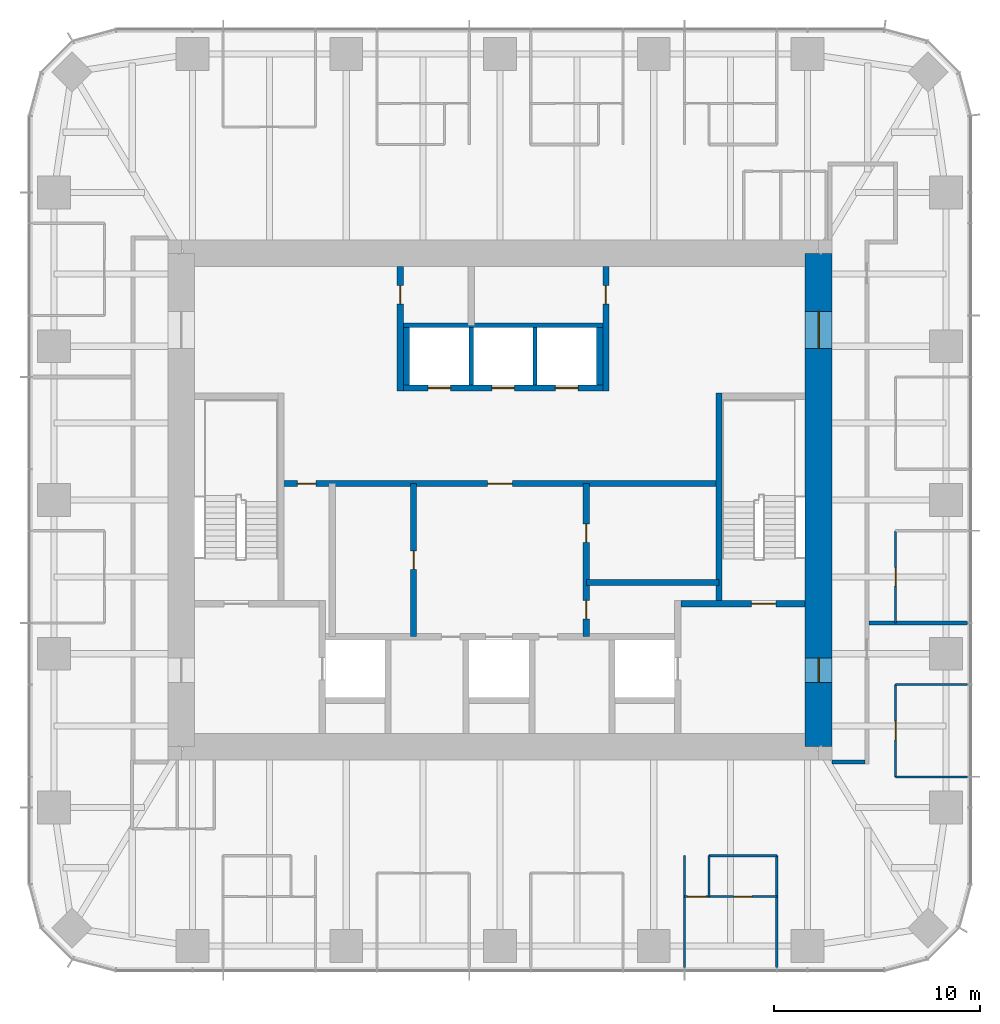
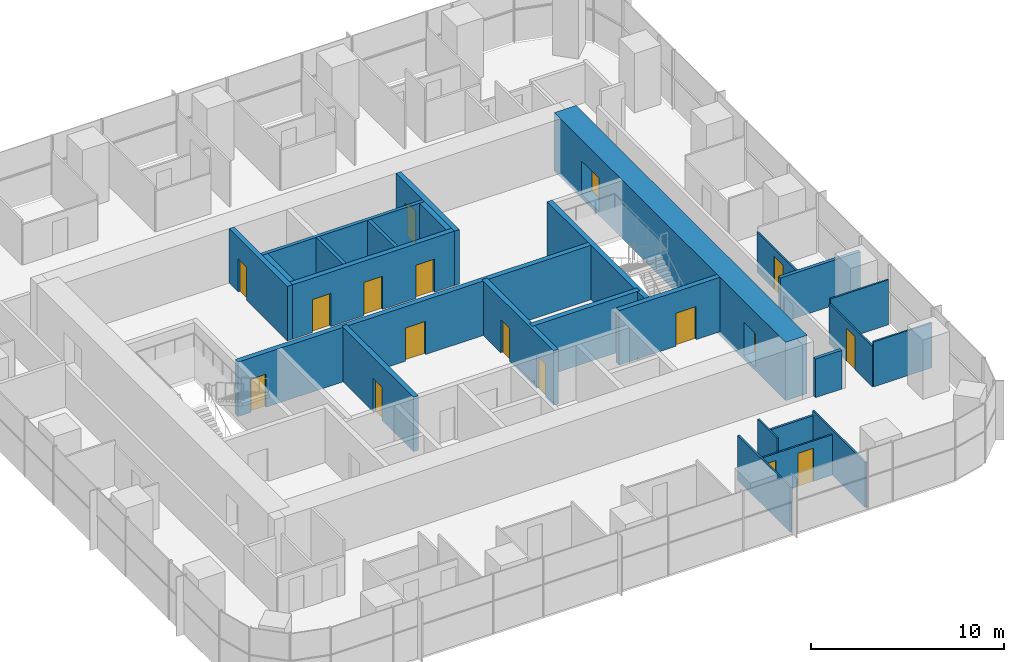
# One storey, part 10 of 13: 26 walls, 17 doors, 17 openings.
"""IFC4 building model written with IfcOpenShell, lengths in metres."""

from ifc_helpers import new_model, si_unit, direction, frame, frame_2d, origin, place, context, subcontext, project, spatial, rectangle, extrude, material, layer, layer_set, type_object, element, fill, save


model = new_model("IFC4")

# Units and contexts
model_context = context("Model", 3, precision=1e-05, world=origin(), true_north=direction((0.0, 1.0)))
body_context = subcontext(model_context, "Body", "Model", "MODEL_VIEW")
ifc_project = project(units=[si_unit("LENGTHUNIT", "METRE"), si_unit("AREAUNIT", "SQUARE_METRE"), si_unit("VOLUMEUNIT", "CUBIC_METRE"), si_unit("PLANEANGLEUNIT", "RADIAN"), si_unit("MASSUNIT", "GRAM", prefix="KILO")], contexts=[model_context])

# Site, building, storey
site_placement = place(None, origin())
site = spatial("IfcSite", under=ifc_project, at=site_placement, CompositionType="ELEMENT")
building_placement = place(site_placement, origin())
building = spatial("IfcBuilding", under=site, at=building_placement, Name="Khuree Lantern Residences", CompositionType="ELEMENT")
storey_placement = place(building_placement, frame((0.0, 0.0, 349.5)))
storey = spatial("IfcBuildingStorey", under=building, at=storey_placement, Name="L88", CompositionType="ELEMENT", Elevation=349.5)

# Wall
ifc_material_1 = material(Name="Moisture-resistant gypsum board on steel studs", Category="steel")
ifc_layer_1 = layer(ifc_material_1, 0.125)
ifc_layer_set_1 = layer_set([ifc_layer_1], Name="BATHROOM WALL BTW125")
wall_type_1 = type_object("IfcWallType", Name="BATHROOM WALL BTW125", PredefinedType="PARTITIONING", material=ifc_layer_set_1)
wall_1_placement = place(storey_placement, frame((10.176025390625, -17.29638671875, 0.0), z_axis=(0.0, 0.0, 1.0), x_axis=(1.0, 0.0, 0.0)))
element("IfcWall", 1, at=wall_1_placement, inside=storey, type_object=wall_type_1, Name="L88 BATHROOM WALL 02", PredefinedType="PARTITIONING", context=body_context, shape_type="SweptSolid", body=[
    extrude(rectangle(XDim=3.2880859375, YDim=0.125, at=frame_2d((1.64404296875, 0.0))), origin(), (0.0, 0.0, 1.0), 2.56005859375),
])

# Wall, openings, doors
ifc_material_2 = material(Name="Dense concrete blockwork", Category="masonry")
ifc_layer_2 = layer(ifc_material_2, 0.300048828125)
ifc_layer_set_2 = layer_set([ifc_layer_2], Name="CORE PARTITION WALL CPW300 EI 120")
wall_type_2 = type_object("IfcWallType", Name="CORE PARTITION WALL CPW300 EI 120", PredefinedType="PARTITIONING", material=ifc_layer_set_2)
wall_2_placement = place(storey_placement, frame((-4.699951171875, 5.449951171875, 0.0), z_axis=(0.0, 0.0, 1.0), x_axis=(1.0, 0.0, 0.0)))
wall_2 = element("IfcWall", 2, at=wall_2_placement, inside=storey, type_object=wall_type_2, Name="L88 CORE WALL PHS", PredefinedType="PARTITIONING", context=body_context, shape_type="SweptSolid", body=[
    extrude(rectangle(XDim=9.699951171875, YDim=0.300048828125, at=frame_2d((4.85009765625, 0.0))), origin(), (0.0, 0.0, 1.0), 3.449951171875),
])
opening_1_placement = place(wall_2_placement, frame((1.199951171875, 0.0, 0.0)))
opening_1 = element("IfcOpeningElement", 3, at=opening_1_placement, cuts=wall_2, Name="Opening 88-009", PredefinedType="OPENING", context=body_context, shape_type="SweptSolid", body=[
    extrude(rectangle(XDim=1.10009765625, YDim=2.10009765625, at=frame_2d((0.550048828125, 1.050048828125))), frame((0.0, 0.16015625, 0.0), z_axis=(0.0, -1.0, 0.0), x_axis=(1.0, 0.0, 0.0)), (0.0, 0.0, 1.0), 0.320068359375),
])
opening_2_placement = place(wall_2_placement, frame((4.300048828125, 0.0, 0.0)))
opening_2 = element("IfcOpeningElement", 4, at=opening_2_placement, cuts=wall_2, Name="Opening 88-010", PredefinedType="OPENING", context=body_context, shape_type="SweptSolid", body=[
    extrude(rectangle(XDim=1.10009765625, YDim=2.10009765625, at=frame_2d((0.550048828125, 1.050048828125))), frame((0.0, 0.16015625, 0.0), z_axis=(0.0, -1.0, 0.0), x_axis=(1.0, 0.0, 0.0)), (0.0, 0.0, 1.0), 0.320068359375),
])
opening_3_placement = place(wall_2_placement, frame((7.39990234375, 0.0, 0.0)))
opening_3 = element("IfcOpeningElement", 5, at=opening_3_placement, cuts=wall_2, Name="Opening 88-011", PredefinedType="OPENING", context=body_context, shape_type="SweptSolid", body=[
    extrude(rectangle(XDim=1.10009765625, YDim=2.10009765625, at=frame_2d((0.550048828125, 1.050048828125))), frame((0.0, 0.16015625, 0.0), z_axis=(0.0, -1.0, 0.0), x_axis=(1.0, 0.0, 0.0)), (0.0, 0.0, 1.0), 0.320068359375),
])
ifc_material_3 = material(Name="Stainless steel lift landing door", Category="steel")
door_type_1 = type_object("IfcDoorType", Name="LIFT LANDING DOOR 1100X2100 E 60", OperationType="DOUBLE_DOOR_SLIDING", PredefinedType="DOOR", material=ifc_material_3)
door_1_placement = place(opening_1_placement, origin())
door_1 = element("IfcDoor", 6, at=door_1_placement, inside=storey, type_object=door_type_1, Name="Landing door PH1 88-009", OperationType="DOUBLE_DOOR_SLIDING", OverallHeight=2.10009765625, OverallWidth=1.10009765625, PredefinedType="DOOR", context=body_context, shape_type="SweptSolid", body=[
    extrude(rectangle(XDim=1.10009765625, YDim=2.10009765625, at=frame_2d((0.550048828125, 1.050048828125))), frame((0.0, 0.02490234375, 0.0), z_axis=(0.0, -1.0, 0.0), x_axis=(1.0, 0.0, 0.0)), (0.0, 0.0, 1.0), 0.050048828125),
])
fill(opening_1, door_1)
door_2_placement = place(opening_2_placement, origin())
door_2 = element("IfcDoor", 7, at=door_2_placement, inside=storey, type_object=door_type_1, Name="Landing door PH2 88-010", OperationType="DOUBLE_DOOR_SLIDING", OverallHeight=2.10009765625, OverallWidth=1.10009765625, PredefinedType="DOOR", context=body_context, shape_type="SweptSolid", body=[
    extrude(rectangle(XDim=1.10009765625, YDim=2.10009765625, at=frame_2d((0.550048828125, 1.050048828125))), frame((0.0, 0.02490234375, 0.0), z_axis=(0.0, -1.0, 0.0), x_axis=(1.0, 0.0, 0.0)), (0.0, 0.0, 1.0), 0.050048828125),
])
fill(opening_2, door_2)
door_3_placement = place(opening_3_placement, origin())
door_3 = element("IfcDoor", 8, at=door_3_placement, inside=storey, type_object=door_type_1, Name="Landing door PH3 88-011", OperationType="DOUBLE_DOOR_SLIDING", OverallHeight=2.10009765625, OverallWidth=1.10009765625, PredefinedType="DOOR", context=body_context, shape_type="SweptSolid", body=[
    extrude(rectangle(XDim=1.10009765625, YDim=2.10009765625, at=frame_2d((0.550048828125, 1.050048828125))), frame((0.0, 0.02490234375, 0.0), z_axis=(0.0, -1.0, 0.0), x_axis=(1.0, 0.0, 0.0)), (0.0, 0.0, 1.0), 0.050048828125),
])
fill(opening_3, door_3)

# Walls
for number, where, z_axis, x_axis, name in (
    (9, (-4.550048828125, 5.60009765625, 0.0), (0.0, 0.0, 1.0), (0.0, 1.0, 0.0), "L88 CORE WALL PHW"),
    (10, (4.85009765625, 5.60009765625, 0.0), (0.0, 0.0, 1.0), (0.0, 1.0, 0.0), "L88 CORE WALL PHE"),
):
    element("IfcWall", number, at=place(storey_placement, frame(where, z_axis=z_axis, x_axis=x_axis)), inside=storey, type_object=wall_type_2, Name=name, PredefinedType="PARTITIONING", context=body_context, shape_type="SweptSolid", body=[
        extrude(rectangle(XDim=2.7998046875, YDim=0.300048828125, at=frame_2d((1.39990234375, 0.0))), origin(), (0.0, 0.0, 1.0), 3.449951171875),
    ])

# Wall, openings, doors
wall_3_placement = place(storey_placement, frame((-10.64990234375, 0.800048828125, 0.0), z_axis=(0.0, 0.0, 1.0), x_axis=(1.0, 0.0, 0.0)))
wall_3 = element("IfcWall", 11, at=wall_3_placement, inside=storey, type_object=wall_type_2, Name="L88 CORE WALL LLS", PredefinedType="PARTITIONING", context=body_context, shape_type="SweptSolid", body=[
    extrude(rectangle(XDim=21.2998046875, YDim=0.300048828125, at=frame_2d((10.64990234375, 0.0))), origin(), (0.0, 0.0, 1.0), 3.449951171875),
])
opening_4_placement = place(wall_3_placement, frame((10.050048828125, 0.0, 0.0)))
opening_4 = element("IfcOpeningElement", 12, at=opening_4_placement, cuts=wall_3, Name="Opening 88-013", PredefinedType="OPENING", context=body_context, shape_type="SweptSolid", body=[
    extrude(rectangle(XDim=1.199951171875, YDim=2.10009765625, at=frame_2d((0.60009765625, 1.050048828125))), frame((0.0, 0.16015625, 0.0), z_axis=(0.0, -1.0, 0.0), x_axis=(1.0, 0.0, 0.0)), (0.0, 0.0, 1.0), 0.320068359375),
])
opening_5_placement = place(wall_3_placement, frame((0.79296875, 0.0, 0.0)))
opening_5 = element("IfcOpeningElement", 13, at=opening_5_placement, cuts=wall_3, Name="Opening 88-017", PredefinedType="OPENING", context=body_context, shape_type="SweptSolid", body=[
    extrude(rectangle(XDim=0.89990234375, YDim=2.10009765625, at=frame_2d((0.449951171875, 1.050048828125))), frame((0.0, 0.16015625, 0.0), z_axis=(0.0, -1.0, 0.0), x_axis=(1.0, 0.0, 0.0)), (0.0, 0.0, 1.0), 0.320068359375),
])
ifc_material_4 = material(Name="Steel door leaf in steel frame", Category="steel")
door_type_2 = type_object("IfcDoorType", Name="DOOR 1200X2100 EI 60", OperationType="SINGLE_SWING_LEFT", PredefinedType="DOOR", material=ifc_material_4)
door_4_placement = place(opening_4_placement, origin())
door_4 = element("IfcDoor", 14, at=door_4_placement, inside=storey, type_object=door_type_2, Name="Service lift lobby door 88-013", OperationType="SINGLE_SWING_LEFT", OverallHeight=2.10009765625, OverallWidth=1.199951171875, PredefinedType="DOOR", context=body_context, shape_type="SweptSolid", body=[
    extrude(rectangle(XDim=1.199951171875, YDim=2.10009765625, at=frame_2d((0.60009765625, 1.050048828125))), frame((0.0, 0.02490234375, 0.0), z_axis=(0.0, -1.0, 0.0), x_axis=(1.0, 0.0, 0.0)), (0.0, 0.0, 1.0), 0.050048828125),
])
fill(opening_4, door_4)
ifc_material_5 = material(Name="Timber door leaf in hardwood frame", Category="wood")
door_type_3 = type_object("IfcDoorType", Name="DOOR 900X2100", OperationType="SINGLE_SWING_LEFT", PredefinedType="DOOR", material=ifc_material_5)
door_5_placement = place(opening_5_placement, origin())
door_5 = element("IfcDoor", 15, at=door_5_placement, inside=storey, type_object=door_type_3, Name="Refuse holding room door 88-017", OperationType="SINGLE_SWING_LEFT", OverallHeight=2.10009765625, OverallWidth=0.89990234375, PredefinedType="DOOR", context=body_context, shape_type="SweptSolid", body=[
    extrude(rectangle(XDim=0.89990234375, YDim=2.10009765625, at=frame_2d((0.449951171875, 1.050048828125))), frame((0.0, 0.02490234375, 0.0), z_axis=(0.0, -1.0, 0.0), x_axis=(1.0, 0.0, 0.0)), (0.0, 0.0, 1.0), 0.050048828125),
])
fill(opening_5, door_5)

# Wall, opening, door
wall_4_placement = place(storey_placement, frame((-4.199951171875, -6.64990234375, 0.0), z_axis=(0.0, 0.0, 1.0), x_axis=(0.0, 1.0, 0.0)))
wall_4 = element("IfcWall", 16, at=wall_4_placement, inside=storey, type_object=wall_type_2, Name="L88 CORE WALL SVW", PredefinedType="PARTITIONING", context=body_context, shape_type="SweptSolid", body=[
    extrude(rectangle(XDim=7.449951171875, YDim=0.300048828125, at=frame_2d((3.72509765625, 0.0))), origin(), (0.0, 0.0, 1.0), 3.449951171875),
])
opening_6_placement = place(wall_4_placement, frame((3.27490234375, 0.0, 0.0)))
opening_6 = element("IfcOpeningElement", 17, at=opening_6_placement, cuts=wall_4, Name="Opening 88-016", PredefinedType="OPENING", context=body_context, shape_type="SweptSolid", body=[
    extrude(rectangle(XDim=0.89990234375, YDim=2.10009765625, at=frame_2d((0.449951171875, 1.050048828125))), frame((0.0, 0.16015625, 0.0), z_axis=(0.0, -1.0, 0.0), x_axis=(1.0, 0.0, 0.0)), (0.0, 0.0, 1.0), 0.320068359375),
])
door_6_placement = place(opening_6_placement, origin())
door_6 = element("IfcDoor", 18, at=door_6_placement, inside=storey, type_object=door_type_3, Name="Residents' store door 88-016", OperationType="SINGLE_SWING_LEFT", OverallHeight=2.10009765625, OverallWidth=0.89990234375, PredefinedType="DOOR", context=body_context, shape_type="SweptSolid", body=[
    extrude(rectangle(XDim=0.89990234375, YDim=2.10009765625, at=frame_2d((0.449951171875, 1.050048828125))), frame((0.0, 0.02490234375, 0.0), z_axis=(0.0, -1.0, 0.0), x_axis=(1.0, 0.0, 0.0)), (0.0, 0.0, 1.0), 0.050048828125),
])
fill(opening_6, door_6)

# Wall, openings, doors
wall_5_placement = place(storey_placement, frame((4.199951171875, -6.64990234375, 0.0), z_axis=(0.0, 0.0, 1.0), x_axis=(0.0, 1.0, 0.0)))
wall_5 = element("IfcWall", 19, at=wall_5_placement, inside=storey, type_object=wall_type_2, Name="L88 CORE WALL SVE", PredefinedType="PARTITIONING", context=body_context, shape_type="SweptSolid", body=[
    extrude(rectangle(XDim=7.449951171875, YDim=0.300048828125, at=frame_2d((3.72509765625, 0.0))), origin(), (0.0, 0.0, 1.0), 3.449951171875),
])
opening_7_placement = place(wall_5_placement, frame((0.865966796875, 0.0, 0.0)))
opening_7 = element("IfcOpeningElement", 20, at=opening_7_placement, cuts=wall_5, Name="Opening 88-018", PredefinedType="OPENING", context=body_context, shape_type="SweptSolid", body=[
    extrude(rectangle(XDim=0.89990234375, YDim=2.10009765625, at=frame_2d((0.449951171875, 1.050048828125))), frame((0.0, 0.16015625, 0.0), z_axis=(0.0, -1.0, 0.0), x_axis=(1.0, 0.0, 0.0)), (0.0, 0.0, 1.0), 0.320068359375),
])
opening_8_placement = place(wall_5_placement, frame((4.591064453125, 0.0, 0.0)))
opening_8 = element("IfcOpeningElement", 21, at=opening_8_placement, cuts=wall_5, Name="Opening 88-019", PredefinedType="OPENING", context=body_context, shape_type="SweptSolid", body=[
    extrude(rectangle(XDim=0.89990234375, YDim=2.10009765625, at=frame_2d((0.449951171875, 1.050048828125))), frame((0.0, 0.16015625, 0.0), z_axis=(0.0, -1.0, 0.0), x_axis=(1.0, 0.0, 0.0)), (0.0, 0.0, 1.0), 0.320068359375),
])
door_7_placement = place(opening_7_placement, origin())
door_7 = element("IfcDoor", 22, at=door_7_placement, inside=storey, type_object=door_type_3, Name="Building management room door 88-018", OperationType="SINGLE_SWING_LEFT", OverallHeight=2.10009765625, OverallWidth=0.89990234375, PredefinedType="DOOR", context=body_context, shape_type="SweptSolid", body=[
    extrude(rectangle(XDim=0.89990234375, YDim=2.10009765625, at=frame_2d((0.449951171875, 1.050048828125))), frame((0.0, 0.02490234375, 0.0), z_axis=(0.0, -1.0, 0.0), x_axis=(1.0, 0.0, 0.0)), (0.0, 0.0, 1.0), 0.050048828125),
])
fill(opening_7, door_7)
door_type_4 = type_object("IfcDoorType", Name="DOOR 900X2100 RIGHT HAND", OperationType="SINGLE_SWING_RIGHT", PredefinedType="DOOR", material=ifc_material_5)
door_8_placement = place(opening_8_placement, origin())
door_8 = element("IfcDoor", 23, at=door_8_placement, inside=storey, type_object=door_type_4, Name="Residents' store door 88-019", OperationType="SINGLE_SWING_RIGHT", OverallHeight=2.10009765625, OverallWidth=0.89990234375, PredefinedType="DOOR", context=body_context, shape_type="SweptSolid", body=[
    extrude(rectangle(XDim=0.89990234375, YDim=2.10009765625, at=frame_2d((0.449951171875, 1.050048828125))), frame((0.0, 0.02490234375, 0.0), z_axis=(0.0, -1.0, 0.0), x_axis=(1.0, 0.0, 0.0)), (0.0, 0.0, 1.0), 0.050048828125),
])
fill(opening_8, door_8)

# Wall
wall_6_placement = place(storey_placement, frame((10.64990234375, -4.01806640625, 0.0), z_axis=(0.0, 0.0, 1.0), x_axis=(-1.0, 0.0, 0.0)))
element("IfcWall", 24, at=wall_6_placement, inside=storey, type_object=wall_type_2, Name="L88 CORE WALL EX", PredefinedType="PARTITIONING", context=body_context, shape_type="SweptSolid", body=[
    extrude(rectangle(XDim=6.449951171875, YDim=0.300048828125, at=frame_2d((3.22509765625, 0.0))), origin(), (0.0, 0.0, 1.0), 3.449951171875),
])

# Wall, opening, door
wall_7_placement = place(storey_placement, frame((-4.85009765625, 5.300048828125, 0.0), z_axis=(0.0, 0.0, 1.0), x_axis=(0.0, 1.0, 0.0)))
wall_7 = element("IfcWall", 25, at=wall_7_placement, inside=storey, type_object=wall_type_2, Name="L88 CORE WALL NW", PredefinedType="PARTITIONING", context=body_context, shape_type="SweptSolid", body=[
    extrude(rectangle(XDim=6.050048828125, YDim=0.300048828125, at=frame_2d((3.02490234375, 0.0))), origin(), (0.0, 0.0, 1.0), 3.449951171875),
])
opening_9_placement = place(wall_7_placement, frame((4.22509765625, 0.0, 0.0)))
opening_9 = element("IfcOpeningElement", 26, at=opening_9_placement, cuts=wall_7, Name="Opening 88-020", PredefinedType="OPENING", context=body_context, shape_type="SweptSolid", body=[
    extrude(rectangle(XDim=0.89990234375, YDim=2.10009765625, at=frame_2d((0.449951171875, 1.050048828125))), frame((0.0, 0.16015625, 0.0), z_axis=(0.0, -1.0, 0.0), x_axis=(1.0, 0.0, 0.0)), (0.0, 0.0, 1.0), 0.320068359375),
])
door_9_placement = place(opening_9_placement, origin())
door_9 = element("IfcDoor", 27, at=door_9_placement, inside=storey, type_object=door_type_4, Name="Building management room door 88-020", OperationType="SINGLE_SWING_RIGHT", OverallHeight=2.10009765625, OverallWidth=0.89990234375, PredefinedType="DOOR", context=body_context, shape_type="SweptSolid", body=[
    extrude(rectangle(XDim=0.89990234375, YDim=2.10009765625, at=frame_2d((0.449951171875, 1.050048828125))), frame((0.0, 0.02490234375, 0.0), z_axis=(0.0, -1.0, 0.0), x_axis=(1.0, 0.0, 0.0)), (0.0, 0.0, 1.0), 0.050048828125),
])
fill(opening_9, door_9)

wall_8_placement = place(storey_placement, frame((5.14990234375, 5.300048828125, 0.0), z_axis=(0.0, 0.0, 1.0), x_axis=(0.0, 1.0, 0.0)))
wall_8 = element("IfcWall", 28, at=wall_8_placement, inside=storey, type_object=wall_type_2, Name="L88 CORE WALL NE", PredefinedType="PARTITIONING", context=body_context, shape_type="SweptSolid", body=[
    extrude(rectangle(XDim=6.050048828125, YDim=0.300048828125, at=frame_2d((3.02490234375, 0.0))), origin(), (0.0, 0.0, 1.0), 3.449951171875),
])
opening_10_placement = place(wall_8_placement, frame((4.22509765625, 0.0, 0.0)))
opening_10 = element("IfcOpeningElement", 29, at=opening_10_placement, cuts=wall_8, Name="Opening 88-021", PredefinedType="OPENING", context=body_context, shape_type="SweptSolid", body=[
    extrude(rectangle(XDim=0.89990234375, YDim=2.10009765625, at=frame_2d((0.449951171875, 1.050048828125))), frame((0.0, 0.16015625, 0.0), z_axis=(0.0, -1.0, 0.0), x_axis=(1.0, 0.0, 0.0)), (0.0, 0.0, 1.0), 0.320068359375),
])
door_10_placement = place(opening_10_placement, origin())
door_10 = element("IfcDoor", 30, at=door_10_placement, inside=storey, type_object=door_type_3, Name="Bulky waste store door 88-021", OperationType="SINGLE_SWING_LEFT", OverallHeight=2.10009765625, OverallWidth=0.89990234375, PredefinedType="DOOR", context=body_context, shape_type="SweptSolid", body=[
    extrude(rectangle(XDim=0.89990234375, YDim=2.10009765625, at=frame_2d((0.449951171875, 1.050048828125))), frame((0.0, 0.02490234375, 0.0), z_axis=(0.0, -1.0, 0.0), x_axis=(1.0, 0.0, 0.0)), (0.0, 0.0, 1.0), 0.050048828125),
])
fill(opening_10, door_10)

# Wall
ifc_material_6 = material(Name="Gypsum board on steel studs", Category="steel")
ifc_layer_3 = layer(ifc_material_6, 0.199951171875)
ifc_layer_set_3 = layer_set([ifc_layer_3], Name="CORRIDOR WALL CRW200 EI 60")
wall_type_3 = type_object("IfcWallType", Name="CORRIDOR WALL CRW200 EI 60", PredefinedType="PARTITIONING", material=ifc_layer_set_3)
wall_9_placement = place(storey_placement, frame((16.14990234375, -12.75, 0.0), z_axis=(0.0, 0.0, 1.0), x_axis=(1.0, 0.0, 0.0)))
element("IfcWall", 31, at=wall_9_placement, inside=storey, type_object=wall_type_3, Name="L88 EAST CORRIDOR SOUTH END WALL", PredefinedType="PARTITIONING", context=body_context, shape_type="SweptSolid", body=[
    extrude(rectangle(XDim=1.60009765625, YDim=0.199951171875, at=frame_2d((0.800048828125, 0.0))), origin(), (0.0, 0.0, 1.0), 2.449951171875),
])

# Wall, openings, doors
ifc_material_7 = material(Name="Concrete C50/60", Category="concrete")
ifc_layer_4 = layer(ifc_material_7, 1.300048828125)
ifc_layer_set_4 = layer_set([ifc_layer_4], Name="CW1300-C50 CORE WALL C50 1300")
wall_type_4 = type_object("IfcWallType", Name="CW1300-C50 CORE WALL C50 1300", PredefinedType="SHEAR", material=ifc_layer_set_4)
wall_10_placement = place(storey_placement, frame((15.5, -12.0, -0.25), z_axis=(0.0, 0.0, 1.0), x_axis=(0.0, 1.0, 0.0)))
wall_10 = element("IfcWall", 32, at=wall_10_placement, inside=storey, type_object=wall_type_4, Name="Core wall E", PredefinedType="SHEAR", context=body_context, shape_type="SweptSolid", body=[
    extrude(rectangle(XDim=24.0, YDim=1.300048828125, at=frame_2d((12.0, 0.0))), origin(), (0.0, 0.0, 1.0), 3.699951171875),
])
opening_11_placement = place(wall_10_placement, frame((3.125, 0.0, 0.25)))
opening_11 = element("IfcOpeningElement", 33, at=opening_11_placement, cuts=wall_10, Name="Opening 88-005", PredefinedType="OPENING", context=body_context, shape_type="SweptSolid", body=[
    extrude(rectangle(XDim=1.199951171875, YDim=2.10009765625, at=frame_2d((0.60009765625, 1.050048828125))), frame((0.0, 0.66015625, 0.0), z_axis=(0.0, -1.0, 0.0), x_axis=(1.0, 0.0, 0.0)), (0.0, 0.0, 1.0), 1.320068359375),
])
opening_12_placement = place(wall_10_placement, frame((19.375, 0.0, 0.25)))
opening_12 = element("IfcOpeningElement", 34, at=opening_12_placement, cuts=wall_10, Name="Opening 88-006", PredefinedType="OPENING", context=body_context, shape_type="SweptSolid", body=[
    extrude(rectangle(XDim=1.800048828125, YDim=2.10009765625, at=frame_2d((0.89990234375, 1.050048828125))), frame((0.0, 0.66015625, 0.0), z_axis=(0.0, -1.0, 0.0), x_axis=(1.0, 0.0, 0.0)), (0.0, 0.0, 1.0), 1.320068359375),
])
door_type_5 = type_object("IfcDoorType", Name="LOBBY DOOR 1200X2100 EI 120", OperationType="SINGLE_SWING_LEFT", PredefinedType="DOOR", material=ifc_material_4)
door_11_placement = place(opening_11_placement, origin())
door_11 = element("IfcDoor", 35, at=door_11_placement, inside=storey, type_object=door_type_5, Name="Firefighting lobby door 88-005", OperationType="SINGLE_SWING_LEFT", OverallHeight=2.10009765625, OverallWidth=1.199951171875, PredefinedType="DOOR", context=body_context, shape_type="SweptSolid", body=[
    extrude(rectangle(XDim=1.199951171875, YDim=2.10009765625, at=frame_2d((0.60009765625, 1.050048828125))), frame((0.0, 0.02490234375, 0.0), z_axis=(0.0, -1.0, 0.0), x_axis=(1.0, 0.0, 0.0)), (0.0, 0.0, 1.0), 0.050048828125),
])
fill(opening_11, door_11)
door_type_6 = type_object("IfcDoorType", Name="LOBBY DOUBLE DOOR 1800X2100 EI 60", OperationType="DOUBLE_DOOR_SINGLE_SWING", PredefinedType="DOOR", material=ifc_material_4)
door_12_placement = place(opening_12_placement, origin())
door_12 = element("IfcDoor", 36, at=door_12_placement, inside=storey, type_object=door_type_6, Name="Lift lobby door 88-006", OperationType="DOUBLE_DOOR_SINGLE_SWING", OverallHeight=2.10009765625, OverallWidth=1.800048828125, PredefinedType="DOOR", context=body_context, shape_type="SweptSolid", body=[
    extrude(rectangle(XDim=1.800048828125, YDim=2.10009765625, at=frame_2d((0.89990234375, 1.050048828125))), frame((0.0, 0.02490234375, 0.0), z_axis=(0.0, -1.0, 0.0), x_axis=(1.0, 0.0, 0.0)), (0.0, 0.0, 1.0), 0.050048828125),
])
fill(opening_12, door_12)

# Walls
ifc_layer_5 = layer(ifc_material_6, 0.199951171875)
ifc_layer_set_5 = layer_set([ifc_layer_5], Name="DEMISING WALL DMW200 EI 90")
wall_type_5 = type_object("IfcWallType", Name="DEMISING WALL DMW200 EI 90", PredefinedType="PARTITIONING", material=ifc_layer_set_5)
wall_11_placement = place(storey_placement, frame((17.949951171875, -5.98388671875, 0.0), z_axis=(0.0, 0.0, 1.0), x_axis=(1.0, 0.0, 0.0)))
element("IfcWall", 37, at=wall_11_placement, inside=storey, type_object=wall_type_5, Name="L88 DEMISING WALL 01", PredefinedType="PARTITIONING", context=body_context, shape_type="SweptSolid", body=[
    extrude(rectangle(XDim=4.800048828125, YDim=0.199951171875, at=frame_2d((2.39990234375, 0.0))), origin(), (0.0, 0.0, 1.0), 2.85009765625),
])
ifc_layer_6 = layer(ifc_material_6, 0.10009765625)
ifc_layer_set_6 = layer_set([ifc_layer_6], Name="PARTITION PT100")
wall_type_6 = type_object("IfcWallType", Name="PARTITION PT100", PredefinedType="PARTITIONING", material=ifc_layer_set_6)
for number, where, z_axis, x_axis, name in (
    (38, (8.97607421875, -17.29638671875, 0.0), (0.0, 0.0, 1.0), (0.0, -1.0, 0.0), "L88 PARTITION 02"),
    (39, (13.464111328125, -17.29638671875, 0.0), (0.0, 0.0, 1.0), (0.0, -1.0, 0.0), "L88 PARTITION 02"),
):
    element("IfcWall", number, at=place(storey_placement, frame(where, z_axis=z_axis, x_axis=x_axis)), inside=storey, type_object=wall_type_6, Name=name, PredefinedType="PARTITIONING", context=body_context, shape_type="SweptSolid", body=[
        extrude(rectangle(XDim=5.45361328125, YDim=0.10009765625, at=frame_2d((2.726806640625, 0.0))), origin(), (0.0, 0.0, 1.0), 2.85009765625),
    ])
for number, where, z_axis, x_axis, name in (
    (40, (19.25, -13.464111328125, 0.0), (0.0, 0.0, 1.0), (1.0, 0.0, 0.0), "L88 PARTITION 02"),
    (41, (19.25, -8.97607421875, 0.0), (0.0, 0.0, 1.0), (1.0, 0.0, 0.0), "L88 PARTITION 02"),
):
    element("IfcWall", number, at=place(storey_placement, frame(where, z_axis=z_axis, x_axis=x_axis)), inside=storey, type_object=wall_type_6, Name=name, PredefinedType="PARTITIONING", context=body_context, shape_type="SweptSolid", body=[
        extrude(rectangle(XDim=3.5, YDim=0.10009765625, at=frame_2d((1.75, 0.0))), origin(), (0.0, 0.0, 1.0), 2.85009765625),
    ])

# Wall, opening, door
wall_12_placement = place(storey_placement, frame((19.25, -5.98388671875, 0.0), z_axis=(0.0, 0.0, 1.0), x_axis=(0.0, 1.0, 0.0)))
wall_12 = element("IfcWall", 42, at=wall_12_placement, inside=storey, type_object=wall_type_6, Name="L88 PARTITION 01", PredefinedType="PARTITIONING", context=body_context, shape_type="SweptSolid", body=[
    extrude(rectangle(XDim=4.48779296875, YDim=0.10009765625, at=frame_2d((2.243896484375, 0.0))), origin(), (0.0, 0.0, 1.0), 2.56005859375),
])
opening_13_placement = place(wall_12_placement, frame((1.7939453125, 0.0, 0.0)))
opening_13 = element("IfcOpeningElement", 43, at=opening_13_placement, cuts=wall_12, Name="Opening 88-022", PredefinedType="OPENING", context=body_context, shape_type="SweptSolid", body=[
    extrude(rectangle(XDim=0.89990234375, YDim=2.10009765625, at=frame_2d((0.449951171875, 1.050048828125))), frame((0.0, 0.06005859375, 0.0), z_axis=(0.0, -1.0, 0.0), x_axis=(1.0, 0.0, 0.0)), (0.0, 0.0, 1.0), 0.1201171875),
])
door_type_7 = type_object("IfcDoorType", Name="BEDROOM DOOR 900X2100", OperationType="SINGLE_SWING_LEFT", PredefinedType="DOOR", material=ifc_material_5)
door_13_placement = place(opening_13_placement, origin())
door_13 = element("IfcDoor", 44, at=door_13_placement, inside=storey, type_object=door_type_7, Name="Bedroom door 88-022", OperationType="SINGLE_SWING_LEFT", OverallHeight=2.10009765625, OverallWidth=0.89990234375, PredefinedType="DOOR", context=body_context, shape_type="SweptSolid", body=[
    extrude(rectangle(XDim=0.89990234375, YDim=2.10009765625, at=frame_2d((0.449951171875, 1.050048828125))), frame((0.0, 0.02490234375, 0.0), z_axis=(0.0, -1.0, 0.0), x_axis=(1.0, 0.0, 0.0)), (0.0, 0.0, 1.0), 0.050048828125),
])
fill(opening_13, door_13)

# Wall, openings, doors
wall_13_placement = place(storey_placement, frame((8.97607421875, -19.29638671875, 0.0), z_axis=(0.0, 0.0, 1.0), x_axis=(1.0, 0.0, 0.0)))
wall_13 = element("IfcWall", 45, at=wall_13_placement, inside=storey, type_object=wall_type_6, Name="L88 PARTITION 02", PredefinedType="PARTITIONING", context=body_context, shape_type="SweptSolid", body=[
    extrude(rectangle(XDim=4.488037109375, YDim=0.10009765625, at=frame_2d((2.244140625, 0.0))), origin(), (0.0, 0.0, 1.0), 2.56005859375),
])
opening_14_placement = place(wall_13_placement, frame((0.14990234375, 0.0, 0.0)))
opening_14 = element("IfcOpeningElement", 46, at=opening_14_placement, cuts=wall_13, Name="Opening 88-040", PredefinedType="OPENING", context=body_context, shape_type="SweptSolid", body=[
    extrude(rectangle(XDim=0.89990234375, YDim=2.10009765625, at=frame_2d((0.449951171875, 1.050048828125))), frame((0.0, 0.06005859375, 0.0), z_axis=(0.0, -1.0, 0.0), x_axis=(1.0, 0.0, 0.0)), (0.0, 0.0, 1.0), 0.1201171875),
])
opening_15_placement = place(wall_13_placement, frame((2.39404296875, 0.0, 0.0)))
opening_15 = element("IfcOpeningElement", 47, at=opening_15_placement, cuts=wall_13, Name="Opening 88-041", PredefinedType="OPENING", context=body_context, shape_type="SweptSolid", body=[
    extrude(rectangle(XDim=0.89990234375, YDim=2.10009765625, at=frame_2d((0.449951171875, 1.050048828125))), frame((0.0, 0.06005859375, 0.0), z_axis=(0.0, -1.0, 0.0), x_axis=(1.0, 0.0, 0.0)), (0.0, 0.0, 1.0), 0.1201171875),
])
door_type_8 = type_object("IfcDoorType", Name="BATHROOM DOOR 900X2100", OperationType="SINGLE_SWING_LEFT", PredefinedType="DOOR", material=ifc_material_5)
door_14_placement = place(opening_15_placement, origin())
door_14 = element("IfcDoor", 48, at=door_14_placement, inside=storey, type_object=door_type_8, Name="Bathroom door 88-041", OperationType="SINGLE_SWING_LEFT", OverallHeight=2.10009765625, OverallWidth=0.89990234375, PredefinedType="DOOR", context=body_context, shape_type="SweptSolid", body=[
    extrude(rectangle(XDim=0.89990234375, YDim=2.10009765625, at=frame_2d((0.449951171875, 1.050048828125))), frame((0.0, 0.02490234375, 0.0), z_axis=(0.0, -1.0, 0.0), x_axis=(1.0, 0.0, 0.0)), (0.0, 0.0, 1.0), 0.050048828125),
])
fill(opening_15, door_14)
door_15_placement = place(opening_14_placement, origin())
door_15 = element("IfcDoor", 49, at=door_15_placement, inside=storey, type_object=door_type_7, Name="Bedroom door 88-040", OperationType="SINGLE_SWING_LEFT", OverallHeight=2.10009765625, OverallWidth=0.89990234375, PredefinedType="DOOR", context=body_context, shape_type="SweptSolid", body=[
    extrude(rectangle(XDim=0.89990234375, YDim=2.10009765625, at=frame_2d((0.449951171875, 1.050048828125))), frame((0.0, 0.02490234375, 0.0), z_axis=(0.0, -1.0, 0.0), x_axis=(1.0, 0.0, 0.0)), (0.0, 0.0, 1.0), 0.050048828125),
])
fill(opening_14, door_15)

# Wall
wall_14_placement = place(storey_placement, frame((10.176025390625, -17.29638671875, 0.0), z_axis=(0.0, 0.0, 1.0), x_axis=(0.0, -1.0, 0.0)))
element("IfcWall", 50, at=wall_14_placement, inside=storey, type_object=wall_type_6, Name="L88 PARTITION 02", PredefinedType="PARTITIONING", context=body_context, shape_type="SweptSolid", body=[
    extrude(rectangle(XDim=2.0, YDim=0.10009765625, at=frame_2d((1.0, 0.0))), origin(), (0.0, 0.0, 1.0), 3.449951171875),
])

# Wall, opening, door
wall_15_placement = place(storey_placement, frame((19.25, -13.464111328125, 0.0), z_axis=(0.0, 0.0, 1.0), x_axis=(0.0, 1.0, 0.0)))
wall_15 = element("IfcWall", 51, at=wall_15_placement, inside=storey, type_object=wall_type_6, Name="L88 PARTITION 02", PredefinedType="PARTITIONING", context=body_context, shape_type="SweptSolid", body=[
    extrude(rectangle(XDim=4.488037109375, YDim=0.10009765625, at=frame_2d((2.244140625, 0.0))), origin(), (0.0, 0.0, 1.0), 2.56005859375),
])
opening_16_placement = place(wall_15_placement, frame((1.7939453125, 0.0, 0.0)))
opening_16 = element("IfcOpeningElement", 52, at=opening_16_placement, cuts=wall_15, Name="Opening 88-042", PredefinedType="OPENING", context=body_context, shape_type="SweptSolid", body=[
    extrude(rectangle(XDim=0.89990234375, YDim=2.10009765625, at=frame_2d((0.449951171875, 1.050048828125))), frame((0.0, 0.06005859375, 0.0), z_axis=(0.0, -1.0, 0.0), x_axis=(1.0, 0.0, 0.0)), (0.0, 0.0, 1.0), 0.1201171875),
])
door_16_placement = place(opening_16_placement, origin())
door_16 = element("IfcDoor", 53, at=door_16_placement, inside=storey, type_object=door_type_7, Name="Bedroom door 88-042", OperationType="SINGLE_SWING_LEFT", OverallHeight=2.10009765625, OverallWidth=0.89990234375, PredefinedType="DOOR", context=body_context, shape_type="SweptSolid", body=[
    extrude(rectangle(XDim=0.89990234375, YDim=2.10009765625, at=frame_2d((0.449951171875, 1.050048828125))), frame((0.0, 0.02490234375, 0.0), z_axis=(0.0, -1.0, 0.0), x_axis=(1.0, 0.0, 0.0)), (0.0, 0.0, 1.0), 0.050048828125),
])
fill(opening_16, door_16)

# Walls
ifc_layer_7 = layer(ifc_material_2, 0.199951171875)
ifc_layer_set_7 = layer_set([ifc_layer_7], Name="SHAFT WALL SHW200 EI 120")
wall_type_7 = type_object("IfcWallType", Name="SHAFT WALL SHW200 EI 120", PredefinedType="PARTITIONING", material=ifc_layer_set_7)
wall_16_placement = place(storey_placement, frame((-4.699951171875, 8.5, 0.0), z_axis=(0.0, 0.0, 1.0), x_axis=(1.0, 0.0, 0.0)))
element("IfcWall", 54, at=wall_16_placement, inside=storey, type_object=wall_type_7, Name="L88 CORE WALL PHN", PredefinedType="PARTITIONING", context=body_context, shape_type="SweptSolid", body=[
    extrude(rectangle(XDim=9.699951171875, YDim=0.199951171875, at=frame_2d((4.85009765625, 0.0))), origin(), (0.0, 0.0, 1.0), 3.449951171875),
])
for number, where, z_axis, x_axis, name in (
    (55, (-1.39990234375, 5.60009765625, 0.0), (0.0, 0.0, 1.0), (0.0, 1.0, 0.0), "L88 CORE WALL PHD1"),
    (56, (1.699951171875, 5.60009765625, 0.0), (0.0, 0.0, 1.0), (0.0, 1.0, 0.0), "L88 CORE WALL PHD2"),
):
    element("IfcWall", number, at=place(storey_placement, frame(where, z_axis=z_axis, x_axis=x_axis)), inside=storey, type_object=wall_type_7, Name=name, PredefinedType="PARTITIONING", context=body_context, shape_type="SweptSolid", body=[
        extrude(rectangle(XDim=2.7998046875, YDim=0.199951171875, at=frame_2d((1.39990234375, 0.0))), origin(), (0.0, 0.0, 1.0), 3.449951171875),
    ])
ifc_layer_8 = layer(ifc_material_7, 0.300048828125)
ifc_layer_set_8 = layer_set([ifc_layer_8], Name="STAIR WALL SRW300 C50/60 REI 240")
wall_type_8 = type_object("IfcWallType", Name="STAIR WALL SRW300 C50/60 REI 240", PredefinedType="SOLIDWALL", material=ifc_layer_set_8)
wall_17_placement = place(storey_placement, frame((10.64990234375, -4.89990234375, 0.0), z_axis=(0.0, 0.0, 1.0), x_axis=(0.0, 1.0, 0.0)))
element("IfcWall", 57, at=wall_17_placement, inside=storey, type_object=wall_type_8, Name="L88 STAIR WALL ST2E", PredefinedType="SOLIDWALL", context=body_context, shape_type="SweptSolid", body=[
    extrude(rectangle(XDim=10.099853515625, YDim=0.300048828125, at=frame_2d((5.0498046875, 0.0))), origin(), (0.0, 0.0, 1.0), 3.449951171875),
])

# Wall, opening, door
wall_18_placement = place(storey_placement, frame((14.85009765625, -5.050048828125, 0.0), z_axis=(0.0, 0.0, 1.0), x_axis=(-1.0, 0.0, 0.0)))
wall_18 = element("IfcWall", 58, at=wall_18_placement, inside=storey, type_object=wall_type_8, Name="L88 STAIR WALL ST2S", PredefinedType="SOLIDWALL", context=body_context, shape_type="SweptSolid", body=[
    extrude(rectangle(XDim=6.050048828125, YDim=0.300048828125, at=frame_2d((3.02490234375, 0.0))), origin(), (0.0, 0.0, 1.0), 3.449951171875),
])
opening_17_placement = place(wall_18_placement, frame((1.425048828125, 0.0, 0.0)))
opening_17 = element("IfcOpeningElement", 59, at=opening_17_placement, cuts=wall_18, Name="Opening 88-004", PredefinedType="OPENING", context=body_context, shape_type="SweptSolid", body=[
    extrude(rectangle(XDim=1.199951171875, YDim=2.10009765625, at=frame_2d((0.60009765625, 1.050048828125))), frame((0.0, 0.16015625, 0.0), z_axis=(0.0, -1.0, 0.0), x_axis=(1.0, 0.0, 0.0)), (0.0, 0.0, 1.0), 0.320068359375),
])
door_type_9 = type_object("IfcDoorType", Name="STAIR DOOR 1200X2100 EI 120", OperationType="SINGLE_SWING_LEFT", PredefinedType="DOOR", material=ifc_material_4)
door_17_placement = place(opening_17_placement, origin())
door_17 = element("IfcDoor", 60, at=door_17_placement, inside=storey, type_object=door_type_9, Name="Stair ST2 door 88-004", OperationType="SINGLE_SWING_LEFT", OverallHeight=2.10009765625, OverallWidth=1.199951171875, PredefinedType="DOOR", context=body_context, shape_type="SweptSolid", body=[
    extrude(rectangle(XDim=1.199951171875, YDim=2.10009765625, at=frame_2d((0.60009765625, 1.050048828125))), frame((0.0, 0.02490234375, 0.0), z_axis=(0.0, -1.0, 0.0), x_axis=(1.0, 0.0, 0.0)), (0.0, 0.0, 1.0), 0.050048828125),
])
fill(opening_17, door_17)

save(model, "model.ifc")
